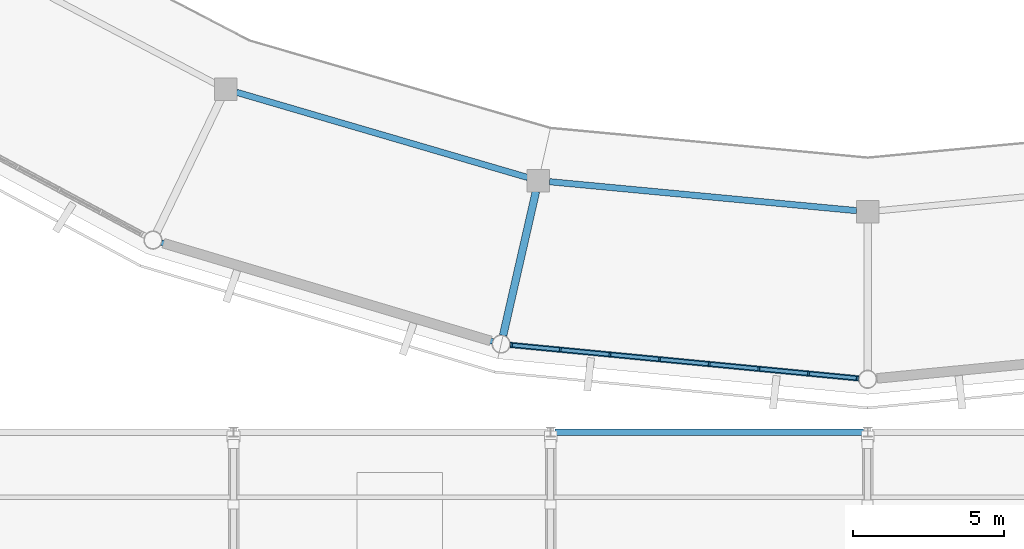
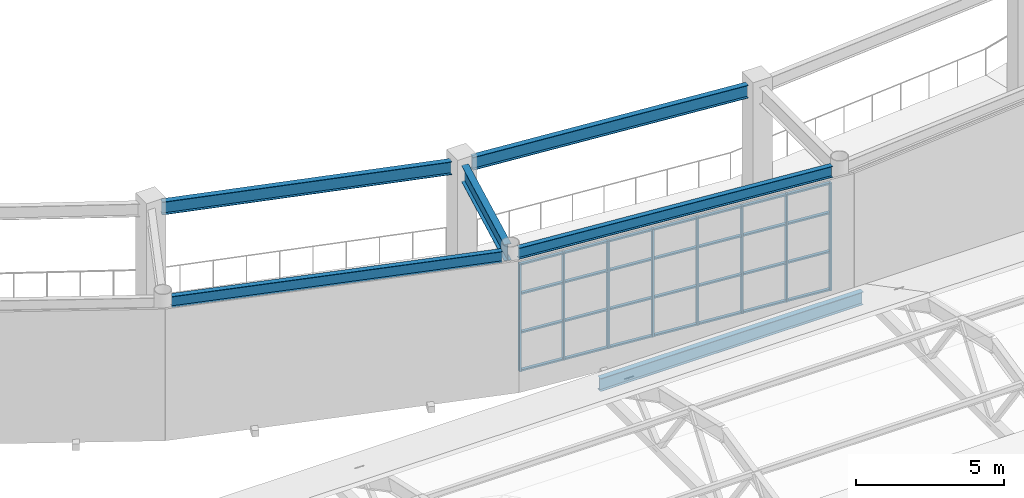
# One storey, part 19 of 70: 36 members, 6 beams, 1 element without a shape of its own.
"""IFC4 building model written with IfcOpenShell, lengths in metres."""

from ifc_helpers import new_model, si_unit, direction, frame, origin, origin_2d, place, context, subcontext, project, spatial, rectangle, i_section, extrude, material, material_profile, profile_set, type_object, element, aggregate, save


model = new_model("IFC4")

# Units and contexts
model_context = context("Model", 3, precision=1e-05, world=origin(), true_north=direction((0.0, 1.0)))
body_context = subcontext(model_context, "Body", "Model", "MODEL_VIEW")
ifc_project = project(units=[si_unit("LENGTHUNIT", "METRE"), si_unit("AREAUNIT", "SQUARE_METRE"), si_unit("VOLUMEUNIT", "CUBIC_METRE"), si_unit("PLANEANGLEUNIT", "RADIAN"), si_unit("MASSUNIT", "GRAM", prefix="KILO")], contexts=[model_context])

# Site, building, storey
site_placement = place(None, origin())
site = spatial("IfcSite", under=ifc_project, at=site_placement, CompositionType="ELEMENT")
building_placement = place(site_placement, origin())
building = spatial("IfcBuilding", under=site, at=building_placement, Name="Cuetzalor Civic Arena", CompositionType="ELEMENT")
storey_placement = place(building_placement, frame((0.0, 0.0, 21.0)))
storey = spatial("IfcBuildingStorey", under=building, at=storey_placement, Name="L04", CompositionType="ELEMENT", Elevation=21.0)

# Curtain wall, members
ifc_material_1 = material(Name="Anodised dark bronze aluminium and low-E solar glass", Category="aluminium")
curtain_wall_type = type_object("IfcCurtainWallType", Name="UnitisedCW_11550x4450", PredefinedType="USERDEFINED", material=ifc_material_1)
curtain_wall_placement = place(storey_placement, origin())
curtain_wall = element("IfcCurtainWall", 1, at=curtain_wall_placement, inside=storey, type_object=curtain_wall_type, Name="Drum Triangle Foyer Curtain Wall L04-065", ObjectType="UNITISED CURTAIN WALL", PredefinedType="USERDEFINED")
ifc_material_2 = material(Name="Anodised dark bronze aluminium", Category="aluminium")
ifc_material_profile_1 = material_profile(ifc_material_2, rectangle(XDim=0.06494140625, YDim=0.14990234375, at=origin_2d()), Name="ALU MULLION 65x150")
ifc_profile_set_1 = profile_set([ifc_material_profile_1], Name="Anodised dark bronze aluminium")
member_type_1 = type_object("IfcMemberType", Name="CurtainWallMullion_60x150", PredefinedType="MULLION", material=ifc_profile_set_1)
member_1_placement = place(storey_placement, frame((-0.345703125, -46.516845703125, 0.0), z_axis=(0.0, 0.0, 1.0), x_axis=(-0.995409139996, 0.095711253324, 0.0)))
member_1 = element("IfcMember", 2, at=member_1_placement, type_object=member_type_1, Name="CW-08 mullion 1", PredefinedType="MULLION", context=body_context, shape_type="SweptSolid", body=[
    extrude(rectangle(XDim=0.06494140625, YDim=0.14990234375, at=origin_2d()), origin(), (0.0, 0.0, 1.0), 4.431884765625),
])
member_2_placement = place(storey_placement, frame((-1.957763671875, -46.36181640625, 0.0), z_axis=(0.0, 0.0, 1.0), x_axis=(-0.995409139996, 0.095711253324, 0.0)))
member_2 = element("IfcMember", 3, at=member_2_placement, type_object=member_type_1, Name="CW-08 mullion 2", PredefinedType="MULLION", context=body_context, shape_type="SweptSolid", body=[
    extrude(rectangle(XDim=0.06494140625, YDim=0.14990234375, at=origin_2d()), origin(), (0.0, 0.0, 1.0), 4.431884765625),
])
member_3_placement = place(storey_placement, frame((-3.602294921875, -46.20361328125, 0.0), z_axis=(0.0, 0.0, 1.0), x_axis=(-0.995409139996, 0.095711253324, 0.0)))
member_3 = element("IfcMember", 4, at=member_3_placement, type_object=member_type_1, Name="CW-08 mullion 3", PredefinedType="MULLION", context=body_context, shape_type="SweptSolid", body=[
    extrude(rectangle(XDim=0.06494140625, YDim=0.14990234375, at=origin_2d()), origin(), (0.0, 0.0, 1.0), 4.431884765625),
])
member_4_placement = place(storey_placement, frame((-5.2470703125, -46.04541015625, 0.0), z_axis=(0.0, 0.0, 1.0), x_axis=(-0.995409139996, 0.095711253324, 0.0)))
member_4 = element("IfcMember", 5, at=member_4_placement, type_object=member_type_1, Name="CW-08 mullion 4", PredefinedType="MULLION", context=body_context, shape_type="SweptSolid", body=[
    extrude(rectangle(XDim=0.06494140625, YDim=0.14990234375, at=origin_2d()), origin(), (0.0, 0.0, 1.0), 4.431884765625),
])
member_5_placement = place(storey_placement, frame((-6.8916015625, -45.887451171875, 0.0), z_axis=(0.0, 0.0, 1.0), x_axis=(-0.995409139996, 0.095711253324, 0.0)))
member_5 = element("IfcMember", 6, at=member_5_placement, type_object=member_type_1, Name="CW-08 mullion 5", PredefinedType="MULLION", context=body_context, shape_type="SweptSolid", body=[
    extrude(rectangle(XDim=0.06494140625, YDim=0.14990234375, at=origin_2d()), origin(), (0.0, 0.0, 1.0), 4.431884765625),
])
member_6_placement = place(storey_placement, frame((-8.5361328125, -45.729248046875, 0.0), z_axis=(0.0, 0.0, 1.0), x_axis=(-0.995409139996, 0.095711253324, 0.0)))
member_6 = element("IfcMember", 7, at=member_6_placement, type_object=member_type_1, Name="CW-08 mullion 6", PredefinedType="MULLION", context=body_context, shape_type="SweptSolid", body=[
    extrude(rectangle(XDim=0.06494140625, YDim=0.14990234375, at=origin_2d()), origin(), (0.0, 0.0, 1.0), 4.431884765625),
])
member_7_placement = place(storey_placement, frame((-10.1806640625, -45.571044921875, 0.0), z_axis=(0.0, 0.0, 1.0), x_axis=(-0.995409139996, 0.095711253324, 0.0)))
member_7 = element("IfcMember", 8, at=member_7_placement, type_object=member_type_1, Name="CW-08 mullion 7", PredefinedType="MULLION", context=body_context, shape_type="SweptSolid", body=[
    extrude(rectangle(XDim=0.06494140625, YDim=0.14990234375, at=origin_2d()), origin(), (0.0, 0.0, 1.0), 4.431884765625),
])
member_8_placement = place(storey_placement, frame((-11.79296875, -45.416015625, 0.0), z_axis=(0.0, 0.0, 1.0), x_axis=(-0.995409139996, 0.095711253324, 0.0)))
member_8 = element("IfcMember", 9, at=member_8_placement, type_object=member_type_1, Name="CW-08 mullion 8", PredefinedType="MULLION", context=body_context, shape_type="SweptSolid", body=[
    extrude(rectangle(XDim=0.06494140625, YDim=0.14990234375, at=origin_2d()), origin(), (0.0, 0.0, 1.0), 4.431884765625),
])
ifc_material_3 = material(Name="Anodised dark bronze aluminium", Category="aluminium")
ifc_material_profile_2 = material_profile(ifc_material_3, rectangle(XDim=0.1201171875, YDim=0.06494140625, at=origin_2d()), Name="ALU TRANSOM 65x120")
ifc_profile_set_2 = profile_set([ifc_material_profile_2], Name="Anodised dark bronze aluminium")
member_type_2 = type_object("IfcMemberType", Name="CurtainWallTransom_60x120", PredefinedType="USERDEFINED", material=ifc_profile_set_2)
member_9_placement = place(storey_placement, frame((-0.3779296875, -46.513671875, 0.032470703125), z_axis=(-0.995416793915, 0.095631618157, 0.0), x_axis=(-0.095631618157, -0.995416793915, 0.0)))
member_9 = element("IfcMember", 10, at=member_9_placement, type_object=member_type_2, Name="CW-08 transom 1.1", ObjectType="TRANSOM", PredefinedType="USERDEFINED", context=body_context, shape_type="SweptSolid", body=[
    extrude(rectangle(XDim=0.1201171875, YDim=0.06494140625, at=origin_2d()), origin(), (0.0, 0.0, 1.0), 1.5546875),
])
member_10_placement = place(storey_placement, frame((-0.3779296875, -46.513671875, 1.595947265625), z_axis=(-0.995416793915, 0.095631618157, 0.0), x_axis=(-0.095631618157, -0.995416793915, 0.0)))
member_10 = element("IfcMember", 11, at=member_10_placement, type_object=member_type_2, Name="CW-08 transom 1.2", ObjectType="TRANSOM", PredefinedType="USERDEFINED", context=body_context, shape_type="SweptSolid", body=[
    extrude(rectangle(XDim=0.1201171875, YDim=0.06494140625, at=origin_2d()), origin(), (0.0, 0.0, 1.0), 1.5546875),
])
member_11_placement = place(storey_placement, frame((-0.3779296875, -46.513671875, 3.19091796875), z_axis=(-0.995416793915, 0.095631618157, 0.0), x_axis=(-0.095631618157, -0.995416793915, 0.0)))
member_11 = element("IfcMember", 12, at=member_11_placement, type_object=member_type_2, Name="CW-08 transom 1.3", ObjectType="TRANSOM", PredefinedType="USERDEFINED", context=body_context, shape_type="SweptSolid", body=[
    extrude(rectangle(XDim=0.1201171875, YDim=0.06494140625, at=origin_2d()), origin(), (0.0, 0.0, 1.0), 1.5546875),
])
member_12_placement = place(storey_placement, frame((-0.3779296875, -46.513671875, 4.3994140625), z_axis=(-0.995416793915, 0.095631618157, 0.0), x_axis=(-0.095631618157, -0.995416793915, 0.0)))
member_12 = element("IfcMember", 13, at=member_12_placement, type_object=member_type_2, Name="CW-08 transom 1.4", ObjectType="TRANSOM", PredefinedType="USERDEFINED", context=body_context, shape_type="SweptSolid", body=[
    extrude(rectangle(XDim=0.1201171875, YDim=0.06494140625, at=origin_2d()), origin(), (0.0, 0.0, 1.0), 1.5546875),
])
member_13_placement = place(storey_placement, frame((-1.990234375, -46.358642578125, 0.032470703125), z_axis=(-0.995412128785, 0.095680164442, 0.0), x_axis=(-0.095680164442, -0.995412128785, 0.0)))
member_13 = element("IfcMember", 14, at=member_13_placement, type_object=member_type_2, Name="CW-08 transom 2.1", ObjectType="TRANSOM", PredefinedType="USERDEFINED", context=body_context, shape_type="SweptSolid", body=[
    extrude(rectangle(XDim=0.1201171875, YDim=0.06494140625, at=origin_2d()), origin(), (0.0, 0.0, 1.0), 1.587158203125),
])
member_14_placement = place(storey_placement, frame((-1.990234375, -46.358642578125, 1.595947265625), z_axis=(-0.995412128785, 0.095680164442, 0.0), x_axis=(-0.095680164442, -0.995412128785, 0.0)))
member_14 = element("IfcMember", 15, at=member_14_placement, type_object=member_type_2, Name="CW-08 transom 2.2", ObjectType="TRANSOM", PredefinedType="USERDEFINED", context=body_context, shape_type="SweptSolid", body=[
    extrude(rectangle(XDim=0.1201171875, YDim=0.06494140625, at=origin_2d()), origin(), (0.0, 0.0, 1.0), 1.587158203125),
])
member_15_placement = place(storey_placement, frame((-1.990234375, -46.358642578125, 3.19091796875), z_axis=(-0.995412128785, 0.095680164442, 0.0), x_axis=(-0.095680164442, -0.995412128785, 0.0)))
member_15 = element("IfcMember", 16, at=member_15_placement, type_object=member_type_2, Name="CW-08 transom 2.3", ObjectType="TRANSOM", PredefinedType="USERDEFINED", context=body_context, shape_type="SweptSolid", body=[
    extrude(rectangle(XDim=0.1201171875, YDim=0.06494140625, at=origin_2d()), origin(), (0.0, 0.0, 1.0), 1.587158203125),
])
member_16_placement = place(storey_placement, frame((-1.990234375, -46.358642578125, 4.3994140625), z_axis=(-0.995412128785, 0.095680164442, 0.0), x_axis=(-0.095680164442, -0.995412128785, 0.0)))
member_16 = element("IfcMember", 17, at=member_16_placement, type_object=member_type_2, Name="CW-08 transom 2.4", ObjectType="TRANSOM", PredefinedType="USERDEFINED", context=body_context, shape_type="SweptSolid", body=[
    extrude(rectangle(XDim=0.1201171875, YDim=0.06494140625, at=origin_2d()), origin(), (0.0, 0.0, 1.0), 1.587158203125),
])
member_17_placement = place(storey_placement, frame((-3.634765625, -46.200439453125, 0.032470703125), z_axis=(-0.995412128785, 0.095680164442, 0.0), x_axis=(-0.095680164442, -0.995412128785, 0.0)))
member_17 = element("IfcMember", 18, at=member_17_placement, type_object=member_type_2, Name="CW-08 transom 3.1", ObjectType="TRANSOM", PredefinedType="USERDEFINED", context=body_context, shape_type="SweptSolid", body=[
    extrude(rectangle(XDim=0.1201171875, YDim=0.06494140625, at=origin_2d()), origin(), (0.0, 0.0, 1.0), 1.587158203125),
])
member_18_placement = place(storey_placement, frame((-3.634765625, -46.200439453125, 1.595947265625), z_axis=(-0.995412128785, 0.095680164442, 0.0), x_axis=(-0.095680164442, -0.995412128785, 0.0)))
member_18 = element("IfcMember", 19, at=member_18_placement, type_object=member_type_2, Name="CW-08 transom 3.2", ObjectType="TRANSOM", PredefinedType="USERDEFINED", context=body_context, shape_type="SweptSolid", body=[
    extrude(rectangle(XDim=0.1201171875, YDim=0.06494140625, at=origin_2d()), origin(), (0.0, 0.0, 1.0), 1.587158203125),
])
member_19_placement = place(storey_placement, frame((-3.634765625, -46.200439453125, 3.19091796875), z_axis=(-0.995412128785, 0.095680164442, 0.0), x_axis=(-0.095680164442, -0.995412128785, 0.0)))
member_19 = element("IfcMember", 20, at=member_19_placement, type_object=member_type_2, Name="CW-08 transom 3.3", ObjectType="TRANSOM", PredefinedType="USERDEFINED", context=body_context, shape_type="SweptSolid", body=[
    extrude(rectangle(XDim=0.1201171875, YDim=0.06494140625, at=origin_2d()), origin(), (0.0, 0.0, 1.0), 1.587158203125),
])
member_20_placement = place(storey_placement, frame((-3.634765625, -46.200439453125, 4.3994140625), z_axis=(-0.995412128785, 0.095680164442, 0.0), x_axis=(-0.095680164442, -0.995412128785, 0.0)))
member_20 = element("IfcMember", 21, at=member_20_placement, type_object=member_type_2, Name="CW-08 transom 3.4", ObjectType="TRANSOM", PredefinedType="USERDEFINED", context=body_context, shape_type="SweptSolid", body=[
    extrude(rectangle(XDim=0.1201171875, YDim=0.06494140625, at=origin_2d()), origin(), (0.0, 0.0, 1.0), 1.587158203125),
])
member_21_placement = place(storey_placement, frame((-5.279296875, -46.04248046875, 0.032470703125), z_axis=(-0.9953974667, 0.095832579471, 0.0), x_axis=(-0.095832579471, -0.9953974667, 0.0)))
member_21 = element("IfcMember", 22, at=member_21_placement, type_object=member_type_2, Name="CW-08 transom 4.1", ObjectType="TRANSOM", PredefinedType="USERDEFINED", context=body_context, shape_type="SweptSolid", body=[
    extrude(rectangle(XDim=0.1201171875, YDim=0.06494140625, at=origin_2d()), origin(), (0.0, 0.0, 1.0), 1.587158203125),
])
member_22_placement = place(storey_placement, frame((-5.279296875, -46.04248046875, 1.595947265625), z_axis=(-0.9953974667, 0.095832579471, 0.0), x_axis=(-0.095832579471, -0.9953974667, 0.0)))
member_22 = element("IfcMember", 23, at=member_22_placement, type_object=member_type_2, Name="CW-08 transom 4.2", ObjectType="TRANSOM", PredefinedType="USERDEFINED", context=body_context, shape_type="SweptSolid", body=[
    extrude(rectangle(XDim=0.1201171875, YDim=0.06494140625, at=origin_2d()), origin(), (0.0, 0.0, 1.0), 1.587158203125),
])
member_23_placement = place(storey_placement, frame((-5.279296875, -46.04248046875, 3.19091796875), z_axis=(-0.9953974667, 0.095832579471, 0.0), x_axis=(-0.095832579471, -0.9953974667, 0.0)))
member_23 = element("IfcMember", 24, at=member_23_placement, type_object=member_type_2, Name="CW-08 transom 4.3", ObjectType="TRANSOM", PredefinedType="USERDEFINED", context=body_context, shape_type="SweptSolid", body=[
    extrude(rectangle(XDim=0.1201171875, YDim=0.06494140625, at=origin_2d()), origin(), (0.0, 0.0, 1.0), 1.587158203125),
])
member_24_placement = place(storey_placement, frame((-5.279296875, -46.04248046875, 4.3994140625), z_axis=(-0.9953974667, 0.095832579471, 0.0), x_axis=(-0.095832579471, -0.9953974667, 0.0)))
member_24 = element("IfcMember", 25, at=member_24_placement, type_object=member_type_2, Name="CW-08 transom 4.4", ObjectType="TRANSOM", PredefinedType="USERDEFINED", context=body_context, shape_type="SweptSolid", body=[
    extrude(rectangle(XDim=0.1201171875, YDim=0.06494140625, at=origin_2d()), origin(), (0.0, 0.0, 1.0), 1.587158203125),
])
member_25_placement = place(storey_placement, frame((-6.923828125, -45.88427734375, 0.032470703125), z_axis=(-0.995412128785, 0.095680164442, 0.0), x_axis=(-0.095680164442, -0.995412128785, 0.0)))
member_25 = element("IfcMember", 26, at=member_25_placement, type_object=member_type_2, Name="CW-08 transom 5.1", ObjectType="TRANSOM", PredefinedType="USERDEFINED", context=body_context, shape_type="SweptSolid", body=[
    extrude(rectangle(XDim=0.1201171875, YDim=0.06494140625, at=origin_2d()), origin(), (0.0, 0.0, 1.0), 1.587158203125),
])
member_26_placement = place(storey_placement, frame((-6.923828125, -45.88427734375, 1.595947265625), z_axis=(-0.995412128785, 0.095680164442, 0.0), x_axis=(-0.095680164442, -0.995412128785, 0.0)))
member_26 = element("IfcMember", 27, at=member_26_placement, type_object=member_type_2, Name="CW-08 transom 5.2", ObjectType="TRANSOM", PredefinedType="USERDEFINED", context=body_context, shape_type="SweptSolid", body=[
    extrude(rectangle(XDim=0.1201171875, YDim=0.06494140625, at=origin_2d()), origin(), (0.0, 0.0, 1.0), 1.587158203125),
])
member_27_placement = place(storey_placement, frame((-6.923828125, -45.88427734375, 3.19091796875), z_axis=(-0.995412128785, 0.095680164442, 0.0), x_axis=(-0.095680164442, -0.995412128785, 0.0)))
member_27 = element("IfcMember", 28, at=member_27_placement, type_object=member_type_2, Name="CW-08 transom 5.3", ObjectType="TRANSOM", PredefinedType="USERDEFINED", context=body_context, shape_type="SweptSolid", body=[
    extrude(rectangle(XDim=0.1201171875, YDim=0.06494140625, at=origin_2d()), origin(), (0.0, 0.0, 1.0), 1.587158203125),
])
member_28_placement = place(storey_placement, frame((-6.923828125, -45.88427734375, 4.3994140625), z_axis=(-0.995412128785, 0.095680164442, 0.0), x_axis=(-0.095680164442, -0.995412128785, 0.0)))
member_28 = element("IfcMember", 29, at=member_28_placement, type_object=member_type_2, Name="CW-08 transom 5.4", ObjectType="TRANSOM", PredefinedType="USERDEFINED", context=body_context, shape_type="SweptSolid", body=[
    extrude(rectangle(XDim=0.1201171875, YDim=0.06494140625, at=origin_2d()), origin(), (0.0, 0.0, 1.0), 1.587158203125),
])
member_29_placement = place(storey_placement, frame((-8.568359375, -45.72607421875, 0.032470703125), z_axis=(-0.995412128785, 0.095680164442, 0.0), x_axis=(-0.095680164442, -0.995412128785, 0.0)))
member_29 = element("IfcMember", 30, at=member_29_placement, type_object=member_type_2, Name="CW-08 transom 6.1", ObjectType="TRANSOM", PredefinedType="USERDEFINED", context=body_context, shape_type="SweptSolid", body=[
    extrude(rectangle(XDim=0.1201171875, YDim=0.06494140625, at=origin_2d()), origin(), (0.0, 0.0, 1.0), 1.587158203125),
])
member_30_placement = place(storey_placement, frame((-8.568359375, -45.72607421875, 1.595947265625), z_axis=(-0.995412128785, 0.095680164442, 0.0), x_axis=(-0.095680164442, -0.995412128785, 0.0)))
member_30 = element("IfcMember", 31, at=member_30_placement, type_object=member_type_2, Name="CW-08 transom 6.2", ObjectType="TRANSOM", PredefinedType="USERDEFINED", context=body_context, shape_type="SweptSolid", body=[
    extrude(rectangle(XDim=0.1201171875, YDim=0.06494140625, at=origin_2d()), origin(), (0.0, 0.0, 1.0), 1.587158203125),
])
member_31_placement = place(storey_placement, frame((-8.568359375, -45.72607421875, 3.19091796875), z_axis=(-0.995412128785, 0.095680164442, 0.0), x_axis=(-0.095680164442, -0.995412128785, 0.0)))
member_31 = element("IfcMember", 32, at=member_31_placement, type_object=member_type_2, Name="CW-08 transom 6.3", ObjectType="TRANSOM", PredefinedType="USERDEFINED", context=body_context, shape_type="SweptSolid", body=[
    extrude(rectangle(XDim=0.1201171875, YDim=0.06494140625, at=origin_2d()), origin(), (0.0, 0.0, 1.0), 1.587158203125),
])
member_32_placement = place(storey_placement, frame((-8.568359375, -45.72607421875, 4.3994140625), z_axis=(-0.995412128785, 0.095680164442, 0.0), x_axis=(-0.095680164442, -0.995412128785, 0.0)))
member_32 = element("IfcMember", 33, at=member_32_placement, type_object=member_type_2, Name="CW-08 transom 6.4", ObjectType="TRANSOM", PredefinedType="USERDEFINED", context=body_context, shape_type="SweptSolid", body=[
    extrude(rectangle(XDim=0.1201171875, YDim=0.06494140625, at=origin_2d()), origin(), (0.0, 0.0, 1.0), 1.587158203125),
])
member_33_placement = place(storey_placement, frame((-10.212890625, -45.568115234375, 0.032470703125), z_axis=(-0.995401833719, 0.095787209113, 0.0), x_axis=(-0.095787209113, -0.995401833719, 0.0)))
member_33 = element("IfcMember", 34, at=member_33_placement, type_object=member_type_2, Name="CW-08 transom 7.1", ObjectType="TRANSOM", PredefinedType="USERDEFINED", context=body_context, shape_type="SweptSolid", body=[
    extrude(rectangle(XDim=0.1201171875, YDim=0.06494140625, at=origin_2d()), origin(), (0.0, 0.0, 1.0), 1.5546875),
])
member_34_placement = place(storey_placement, frame((-10.212890625, -45.568115234375, 1.595947265625), z_axis=(-0.995401833719, 0.095787209113, 0.0), x_axis=(-0.095787209113, -0.995401833719, 0.0)))
member_34 = element("IfcMember", 35, at=member_34_placement, type_object=member_type_2, Name="CW-08 transom 7.2", ObjectType="TRANSOM", PredefinedType="USERDEFINED", context=body_context, shape_type="SweptSolid", body=[
    extrude(rectangle(XDim=0.1201171875, YDim=0.06494140625, at=origin_2d()), origin(), (0.0, 0.0, 1.0), 1.5546875),
])
member_35_placement = place(storey_placement, frame((-10.212890625, -45.568115234375, 3.19091796875), z_axis=(-0.995401833719, 0.095787209113, 0.0), x_axis=(-0.095787209113, -0.995401833719, 0.0)))
member_35 = element("IfcMember", 36, at=member_35_placement, type_object=member_type_2, Name="CW-08 transom 7.3", ObjectType="TRANSOM", PredefinedType="USERDEFINED", context=body_context, shape_type="SweptSolid", body=[
    extrude(rectangle(XDim=0.1201171875, YDim=0.06494140625, at=origin_2d()), origin(), (0.0, 0.0, 1.0), 1.5546875),
])
member_36_placement = place(storey_placement, frame((-10.212890625, -45.568115234375, 4.3994140625), z_axis=(-0.995401833719, 0.095787209113, 0.0), x_axis=(-0.095787209113, -0.995401833719, 0.0)))
member_36 = element("IfcMember", 37, at=member_36_placement, type_object=member_type_2, Name="CW-08 transom 7.4", ObjectType="TRANSOM", PredefinedType="USERDEFINED", context=body_context, shape_type="SweptSolid", body=[
    extrude(rectangle(XDim=0.1201171875, YDim=0.06494140625, at=origin_2d()), origin(), (0.0, 0.0, 1.0), 1.5546875),
])
aggregate(curtain_wall, [member_1, member_2, member_3, member_4, member_5, member_6, member_7, member_8, member_9, member_10, member_11, member_12, member_13, member_14, member_15, member_16, member_17, member_18, member_19, member_20, member_21, member_22, member_23, member_24, member_25, member_26, member_27, member_28, member_29, member_30, member_31, member_32, member_33, member_34, member_35, member_36])

# Beams
ifc_material_4 = material(Name="Steel S355", Category="steel")
ifc_material_profile_3 = material_profile(ifc_material_4, i_section(OverallWidth=0.18994140625, OverallDepth=0.45703125, WebThickness=0.009033203125, FlangeThickness=0.014404296875, at=origin_2d()), Name="W460x74")
ifc_profile_set_3 = profile_set([ifc_material_profile_3], Name="Steel S355")
beam_type_1 = type_object("IfcBeamType", Name="FacadeSpandrelBeam_W460", PredefinedType="SPANDREL", material=ifc_profile_set_3)
beam_1_placement = place(storey_placement, frame((-23.390380859375, -42.023193359375, 4.8916015625), z_axis=(0.958199215373, -0.28610184141, 0.0), x_axis=(0.28610184141, 0.958199215373, 0.0)))
element("IfcBeam", 38, at=beam_1_placement, inside=storey, type_object=beam_type_1, Name="Drum Perimeter Spandrel L04-S20", PredefinedType="SPANDREL", context=body_context, shape_type="SweptSolid", body=[
    extrude(i_section(OverallWidth=0.18994140625, OverallDepth=0.45703125, WebThickness=0.009033203125, FlangeThickness=0.014404296875, at=origin_2d()), origin(), (0.0, 0.0, 1.0), 11.45263671875),
])
beam_2_placement = place(storey_placement, frame((-11.849853515625, -45.41064453125, 4.8916015625), z_axis=(0.995409568272, -0.095706799095, 0.0), x_axis=(0.095706799095, 0.995409568272, 0.0)))
element("IfcBeam", 39, at=beam_2_placement, inside=storey, type_object=beam_type_1, Name="Drum Perimeter Spandrel L04-S21", PredefinedType="SPANDREL", context=body_context, shape_type="SweptSolid", body=[
    extrude(i_section(OverallWidth=0.18994140625, OverallDepth=0.45703125, WebThickness=0.009033203125, FlangeThickness=0.014404296875, at=origin_2d()), origin(), (0.0, 0.0, 1.0), 11.6142578125),
])
ifc_material_5 = material(Name="Steel S355", Category="steel")
ifc_material_profile_4 = material_profile(ifc_material_5, i_section(OverallWidth=0.208984375, OverallDepth=0.532958984375, WebThickness=0.01025390625, FlangeThickness=0.015625, at=origin_2d()), Name="W530x92")
ifc_profile_set_4 = profile_set([ifc_material_profile_4], Name="Steel S355")
beam_type_2 = type_object("IfcBeamType", Name="SteelCollarGirder_W530", PredefinedType="BEAM", material=ifc_profile_set_4)
beam_3_placement = place(storey_placement, frame((-20.9052734375, -37.043701171875, 4.853515625), z_axis=(0.959716323112, -0.280970779889, 0.0), x_axis=(0.280970779889, 0.959716323112, 0.0)))
element("IfcBeam", 40, at=beam_3_placement, inside=storey, type_object=beam_type_2, Name="Drum Concourse Ring Girder L04-S20", PredefinedType="BEAM", context=body_context, shape_type="SweptSolid", body=[
    extrude(i_section(OverallWidth=0.208984375, OverallDepth=0.532958984375, WebThickness=0.01025390625, FlangeThickness=0.015625, at=origin_2d()), origin(), (0.0, 0.0, 1.0), 10.0517578125),
])
beam_4_placement = place(storey_placement, frame((-10.53515625, -40.006591796875, 4.853515625), z_axis=(0.995583045118, -0.093885037538, 0.0), x_axis=(0.093885037538, 0.995583045118, 0.0)))
element("IfcBeam", 41, at=beam_4_placement, inside=storey, type_object=beam_type_2, Name="Drum Concourse Ring Girder L04-S21", PredefinedType="BEAM", context=body_context, shape_type="SweptSolid", body=[
    extrude(i_section(OverallWidth=0.208984375, OverallDepth=0.532958984375, WebThickness=0.01025390625, FlangeThickness=0.015625, at=origin_2d()), origin(), (0.0, 0.0, 1.0), 10.2119140625),
])
beam_5_placement = place(storey_placement, frame((-10.360107421875, -48.300048828125, 0.714111328125), z_axis=(1.0, 0.0, 0.0), x_axis=(0.0, 1.0, 0.0)))
element("IfcBeam", 42, at=beam_5_placement, inside=storey, type_object=beam_type_2, Name="Foyer Vault Eaves Ring Beam N-03", PredefinedType="BEAM", context=body_context, shape_type="SweptSolid", body=[
    extrude(i_section(OverallWidth=0.208984375, OverallDepth=0.532958984375, WebThickness=0.01025390625, FlangeThickness=0.015625, at=origin_2d()), origin(), (0.0, 0.0, 1.0), 10.22021484375),
])
ifc_material_6 = material(Name="Steel S355", Category="steel")
ifc_material_profile_5 = material_profile(ifc_material_6, i_section(OverallWidth=0.2529296875, OverallDepth=0.677978515625, WebThickness=0.01171875, FlangeThickness=0.016357421875, at=origin_2d()), Name="W690x125")
ifc_profile_set_5 = profile_set([ifc_material_profile_5], Name="Steel S355")
beam_type_3 = type_object("IfcBeamType", Name="SteelPrimaryGirder_W690", PredefinedType="BEAM", material=ifc_profile_set_5)
beam_6_placement = place(storey_placement, frame((-10.983642578125, -40.322998046875, 4.781005859375), z_axis=(-0.222519036633, -0.974928345231, 0.0), x_axis=(0.974928345231, -0.222519036633, 0.0)))
element("IfcBeam", 43, at=beam_6_placement, inside=storey, type_object=beam_type_3, Name="Drum Radial Girder L04-R21", PredefinedType="BEAM", context=body_context, shape_type="SweptSolid", body=[
    extrude(i_section(OverallWidth=0.2529296875, OverallDepth=0.677978515625, WebThickness=0.01171875, FlangeThickness=0.016357421875, at=origin_2d()), origin(), (0.0, 0.0, 1.0), 4.89990234375),
])

save(model, "model.ifc")
